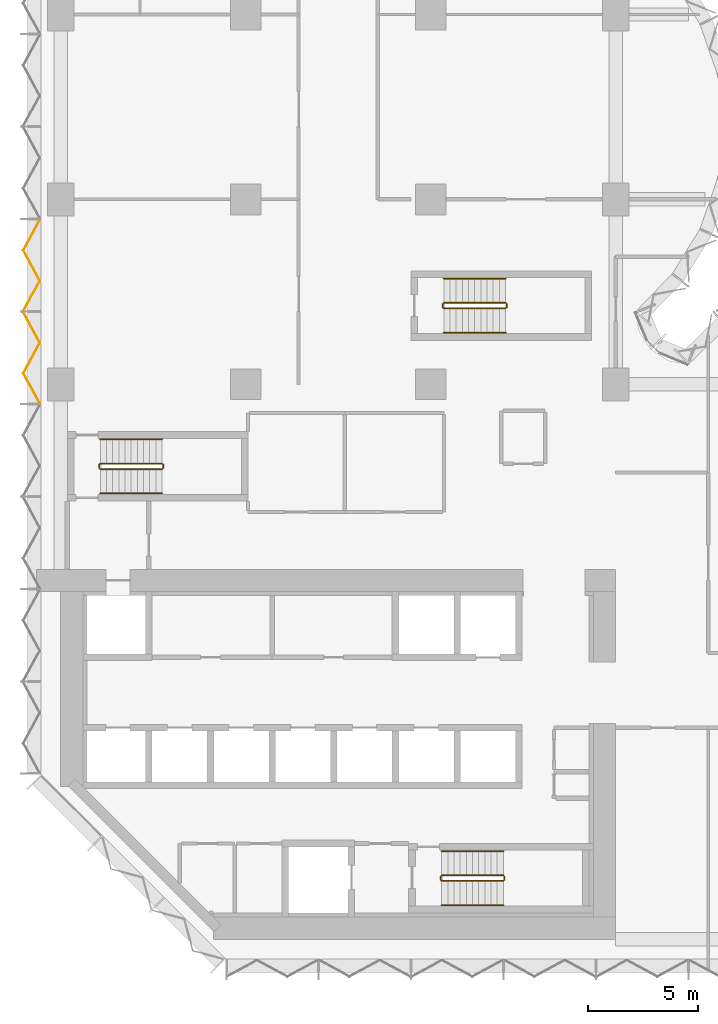
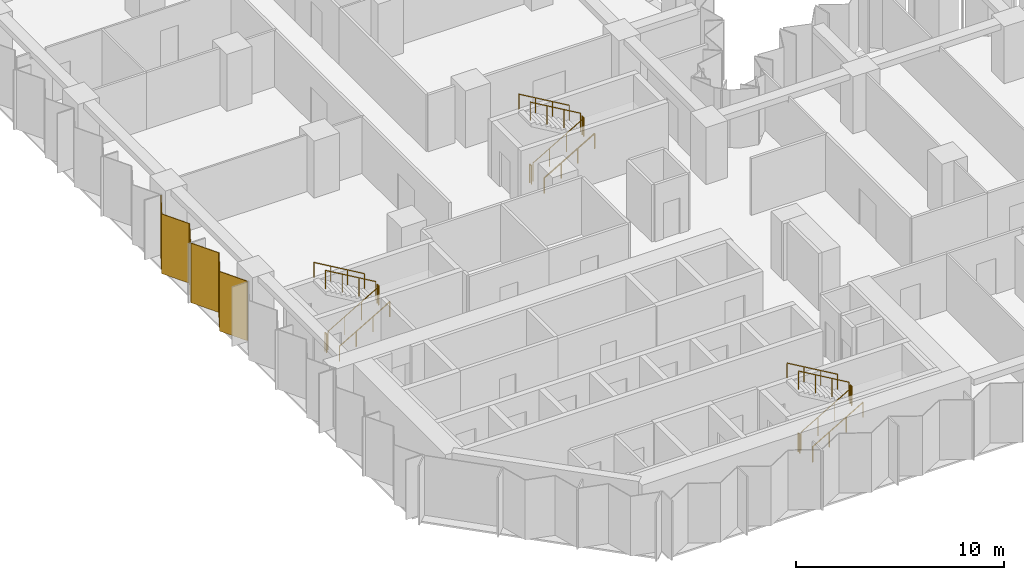
# One storey, part 13 of 15: 18 railings, 2 coverings, 1 element without a shape of its own.
"""IFC4 building model written with IfcOpenShell, lengths in metres."""

from ifc_helpers import new_model, si_unit, direction, frame, origin, origin_2d, place, context, subcontext, project, spatial, polyline, circle, outline, extrude, material, layer, layer_set, type_object, element, aggregate, save


model = new_model("IFC4")

# Units and contexts
model_context = context("Model", 3, precision=1e-05, world=origin(), true_north=direction((0.0, 1.0)))
body_context = subcontext(model_context, "Body", "Model", "MODEL_VIEW")
ifc_project = project(units=[si_unit("LENGTHUNIT", "METRE"), si_unit("AREAUNIT", "SQUARE_METRE"), si_unit("VOLUMEUNIT", "CUBIC_METRE"), si_unit("PLANEANGLEUNIT", "RADIAN"), si_unit("MASSUNIT", "GRAM", prefix="KILO")], contexts=[model_context])

# Site, building, storey
site_placement = place(None, origin())
site = spatial("IfcSite", under=ifc_project, at=site_placement, CompositionType="ELEMENT")
building_placement = place(site_placement, origin())
building = spatial("IfcBuilding", under=site, at=building_placement, Name="Brevane Broadcast Tower", CompositionType="ELEMENT")
storey_placement = place(building_placement, frame((0.0, 0.0, 65.300048828125)))
storey = spatial("IfcBuildingStorey", under=building, at=storey_placement, Name="L14", CompositionType="ELEMENT", Elevation=65.300048828125)

# Railings
ifc_material_1 = material(Name="Steel S355", Category="steel")
railing_type_1 = type_object("IfcRailingType", Name="Exit stair guard", PredefinedType="GUARDRAIL", material=ifc_material_1)
railing_1_placement = place(storey_placement, frame((1.800048828125, 21.35009765625, 0.16357421875)))
element("IfcRailing", 1, at=railing_1_placement, inside=storey, type_object=railing_type_1, Name="L14 ST-1 stair guard 1", PredefinedType="GUARDRAIL", context=body_context, shape_type="SweptSolid", body=[
    extrude(circle(Radius=0.02392578125, at=origin_2d()), frame((0.0, 0.0, 1.076171875), z_axis=(0.863360870873, 0.0, 0.504586966384), x_axis=(0.0, 1.0, 0.0)), (0.0, 0.0, 1.0), 3.2431640625),
    extrude(circle(Radius=0.02099609375, at=origin_2d()), origin(), (0.0, 0.0, 1.0), 1.052001953125),
    extrude(circle(Radius=0.02099609375, at=origin_2d()), frame((0.933349609375, 0.0, 0.54541015625)), (0.0, 0.0, 1.0), 1.052001953125),
    extrude(circle(Radius=0.02099609375, at=origin_2d()), frame((1.86669921875, 0.0, 1.091064453125)), (0.0, 0.0, 1.0), 1.052001953125),
    extrude(circle(Radius=0.02099609375, at=origin_2d()), frame((2.800048828125, 0.0, 1.636474609375)), (0.0, 0.0, 1.0), 1.052001953125),
])
railing_2_placement = place(storey_placement, frame((4.64990234375, 21.39990234375, 1.800048828125)))
element("IfcRailing", 2, at=railing_2_placement, inside=storey, type_object=railing_type_1, Name="L14 ST-1 stair guard 2", PredefinedType="GUARDRAIL", context=body_context, shape_type="SweptSolid", body=[
    extrude(circle(Radius=0.02392578125, at=origin_2d()), frame((0.0, 0.0, 1.076171875), z_axis=(0.0, 1.0, 0.0), x_axis=(-1.0, 0.0, 0.0)), (0.0, 0.0, 1.0), 0.150146484375),
    extrude(circle(Radius=0.02099609375, at=origin_2d()), origin(), (0.0, 0.0, 1.0), 1.052001953125),
    extrude(circle(Radius=0.02099609375, at=origin_2d()), frame((0.0, 0.150146484375, 0.0)), (0.0, 0.0, 1.0), 1.052001953125),
])
railing_3_placement = place(storey_placement, frame((4.60009765625, 21.60009765625, 1.963623046875)))
element("IfcRailing", 3, at=railing_3_placement, inside=storey, type_object=railing_type_1, Name="L14 ST-1 stair guard 3", PredefinedType="GUARDRAIL", context=body_context, shape_type="SweptSolid", body=[
    extrude(circle(Radius=0.02392578125, at=origin_2d()), frame((0.0, 0.0, 1.076171875), z_axis=(-0.863393664356, 0.0, 0.504530851732), x_axis=(0.0, -1.0, 0.0)), (0.0, 0.0, 1.0), 3.2431640625),
    extrude(circle(Radius=0.02099609375, at=origin_2d()), origin(), (0.0, 0.0, 1.0), 1.052001953125),
    extrude(circle(Radius=0.02099609375, at=origin_2d()), frame((-0.933349609375, 0.0, 0.54541015625)), (0.0, 0.0, 1.0), 1.052001953125),
    extrude(circle(Radius=0.02099609375, at=origin_2d()), frame((-1.86669921875, 0.0, 1.0908203125)), (0.0, 0.0, 1.0), 1.052001953125),
    extrude(circle(Radius=0.02099609375, at=origin_2d()), frame((-2.800048828125, 0.0, 1.63623046875)), (0.0, 0.0, 1.0), 1.052001953125),
])
railing_4_placement = place(storey_placement, frame((1.75, 21.39990234375, 0.0)))
element("IfcRailing", 4, at=railing_4_placement, inside=storey, type_object=railing_type_1, Name="L14 ST-1 stair guard 4", PredefinedType="GUARDRAIL", context=body_context, shape_type="SweptSolid", body=[
    extrude(circle(Radius=0.02392578125, at=origin_2d()), frame((0.0, 0.0, 1.076171875), z_axis=(0.0, 1.0, 0.0), x_axis=(-1.0, 0.0, 0.0)), (0.0, 0.0, 1.0), 0.150146484375),
    extrude(circle(Radius=0.02099609375, at=origin_2d()), origin(), (0.0, 0.0, 1.0), 1.052001953125),
    extrude(circle(Radius=0.02099609375, at=origin_2d()), frame((0.0, 0.150146484375, 0.0)), (0.0, 0.0, 1.0), 1.052001953125),
])
railing_5_placement = place(storey_placement, frame((17.300048828125, 2.64990234375, 0.16357421875)))
element("IfcRailing", 5, at=railing_5_placement, inside=storey, type_object=railing_type_1, Name="L14 ST-2 stair guard 1", PredefinedType="GUARDRAIL", context=body_context, shape_type="SweptSolid", body=[
    extrude(circle(Radius=0.02392578125, at=origin_2d()), frame((0.0, 0.0, 1.076171875), z_axis=(0.863360870873, 0.0, 0.504586966384), x_axis=(0.0, 1.0, 0.0)), (0.0, 0.0, 1.0), 3.2431640625),
    extrude(circle(Radius=0.02099609375, at=origin_2d()), origin(), (0.0, 0.0, 1.0), 1.052001953125),
    extrude(circle(Radius=0.02099609375, at=origin_2d()), frame((0.933349609375, 0.0, 0.54541015625)), (0.0, 0.0, 1.0), 1.052001953125),
    extrude(circle(Radius=0.02099609375, at=origin_2d()), frame((1.86669921875, 0.0, 1.091064453125)), (0.0, 0.0, 1.0), 1.052001953125),
    extrude(circle(Radius=0.02099609375, at=origin_2d()), frame((2.800048828125, 0.0, 1.636474609375)), (0.0, 0.0, 1.0), 1.052001953125),
])
railing_6_placement = place(storey_placement, frame((20.14990234375, 2.699951171875, 1.800048828125)))
element("IfcRailing", 6, at=railing_6_placement, inside=storey, type_object=railing_type_1, Name="L14 ST-2 stair guard 2", PredefinedType="GUARDRAIL", context=body_context, shape_type="SweptSolid", body=[
    extrude(circle(Radius=0.02392578125, at=origin_2d()), frame((0.0, 0.0, 1.076171875), z_axis=(0.0, 1.0, 0.0), x_axis=(-1.0, 0.0, 0.0)), (0.0, 0.0, 1.0), 0.150146484375),
    extrude(circle(Radius=0.02099609375, at=origin_2d()), origin(), (0.0, 0.0, 1.0), 1.052001953125),
    extrude(circle(Radius=0.02099609375, at=origin_2d()), frame((0.0, 0.150146484375, 0.0)), (0.0, 0.0, 1.0), 1.052001953125),
])
railing_7_placement = place(storey_placement, frame((20.10009765625, 2.89990234375, 1.963623046875)))
element("IfcRailing", 7, at=railing_7_placement, inside=storey, type_object=railing_type_1, Name="L14 ST-2 stair guard 3", PredefinedType="GUARDRAIL", context=body_context, shape_type="SweptSolid", body=[
    extrude(circle(Radius=0.02392578125, at=origin_2d()), frame((0.0, 0.0, 1.076171875), z_axis=(-0.863393664356, 0.0, 0.504530851732), x_axis=(0.0, -1.0, 0.0)), (0.0, 0.0, 1.0), 3.2431640625),
    extrude(circle(Radius=0.02099609375, at=origin_2d()), origin(), (0.0, 0.0, 1.0), 1.052001953125),
    extrude(circle(Radius=0.02099609375, at=origin_2d()), frame((-0.933349609375, 0.0, 0.54541015625)), (0.0, 0.0, 1.0), 1.052001953125),
    extrude(circle(Radius=0.02099609375, at=origin_2d()), frame((-1.86669921875, 0.0, 1.0908203125)), (0.0, 0.0, 1.0), 1.052001953125),
    extrude(circle(Radius=0.02099609375, at=origin_2d()), frame((-2.800048828125, 0.0, 1.63623046875)), (0.0, 0.0, 1.0), 1.052001953125),
])
railing_8_placement = place(storey_placement, frame((17.25, 2.699951171875, 0.0)))
element("IfcRailing", 8, at=railing_8_placement, inside=storey, type_object=railing_type_1, Name="L14 ST-2 stair guard 4", PredefinedType="GUARDRAIL", context=body_context, shape_type="SweptSolid", body=[
    extrude(circle(Radius=0.02392578125, at=origin_2d()), frame((0.0, 0.0, 1.076171875), z_axis=(0.0, 1.0, 0.0), x_axis=(-1.0, 0.0, 0.0)), (0.0, 0.0, 1.0), 0.150146484375),
    extrude(circle(Radius=0.02099609375, at=origin_2d()), origin(), (0.0, 0.0, 1.0), 1.052001953125),
    extrude(circle(Radius=0.02099609375, at=origin_2d()), frame((0.0, 0.150146484375, 0.0)), (0.0, 0.0, 1.0), 1.052001953125),
])
railing_9_placement = place(storey_placement, frame((17.39990234375, 28.64990234375, 0.16357421875)))
element("IfcRailing", 9, at=railing_9_placement, inside=storey, type_object=railing_type_1, Name="L14 ST-3 stair guard 1", PredefinedType="GUARDRAIL", context=body_context, shape_type="SweptSolid", body=[
    extrude(circle(Radius=0.02392578125, at=origin_2d()), frame((0.0, 0.0, 1.076171875), z_axis=(0.863360870873, 0.0, 0.504586966384), x_axis=(0.0, 1.0, 0.0)), (0.0, 0.0, 1.0), 3.2431640625),
    extrude(circle(Radius=0.02099609375, at=origin_2d()), origin(), (0.0, 0.0, 1.0), 1.052001953125),
    extrude(circle(Radius=0.02099609375, at=origin_2d()), frame((0.933349609375, 0.0, 0.54541015625)), (0.0, 0.0, 1.0), 1.052001953125),
    extrude(circle(Radius=0.02099609375, at=origin_2d()), frame((1.86669921875, 0.0, 1.091064453125)), (0.0, 0.0, 1.0), 1.052001953125),
    extrude(circle(Radius=0.02099609375, at=origin_2d()), frame((2.800048828125, 0.0, 1.636474609375)), (0.0, 0.0, 1.0), 1.052001953125),
])
railing_10_placement = place(storey_placement, frame((20.25, 28.699951171875, 1.800048828125)))
element("IfcRailing", 10, at=railing_10_placement, inside=storey, type_object=railing_type_1, Name="L14 ST-3 stair guard 2", PredefinedType="GUARDRAIL", context=body_context, shape_type="SweptSolid", body=[
    extrude(circle(Radius=0.02392578125, at=origin_2d()), frame((0.0, 0.0, 1.076171875), z_axis=(0.0, 1.0, 0.0), x_axis=(-1.0, 0.0, 0.0)), (0.0, 0.0, 1.0), 0.150146484375),
    extrude(circle(Radius=0.02099609375, at=origin_2d()), origin(), (0.0, 0.0, 1.0), 1.052001953125),
    extrude(circle(Radius=0.02099609375, at=origin_2d()), frame((0.0, 0.150146484375, 0.0)), (0.0, 0.0, 1.0), 1.052001953125),
])
railing_11_placement = place(storey_placement, frame((20.199951171875, 28.89990234375, 1.963623046875)))
element("IfcRailing", 11, at=railing_11_placement, inside=storey, type_object=railing_type_1, Name="L14 ST-3 stair guard 3", PredefinedType="GUARDRAIL", context=body_context, shape_type="SweptSolid", body=[
    extrude(circle(Radius=0.02392578125, at=origin_2d()), frame((0.0, 0.0, 1.076171875), z_axis=(-0.863393664356, 0.0, 0.504530851732), x_axis=(0.0, -1.0, 0.0)), (0.0, 0.0, 1.0), 3.2431640625),
    extrude(circle(Radius=0.02099609375, at=origin_2d()), origin(), (0.0, 0.0, 1.0), 1.052001953125),
    extrude(circle(Radius=0.02099609375, at=origin_2d()), frame((-0.933349609375, 0.0, 0.54541015625)), (0.0, 0.0, 1.0), 1.052001953125),
    extrude(circle(Radius=0.02099609375, at=origin_2d()), frame((-1.86669921875, 0.0, 1.0908203125)), (0.0, 0.0, 1.0), 1.052001953125),
    extrude(circle(Radius=0.02099609375, at=origin_2d()), frame((-2.800048828125, 0.0, 1.63623046875)), (0.0, 0.0, 1.0), 1.052001953125),
])
railing_12_placement = place(storey_placement, frame((17.35009765625, 28.699951171875, 0.0)))
element("IfcRailing", 12, at=railing_12_placement, inside=storey, type_object=railing_type_1, Name="L14 ST-3 stair guard 4", PredefinedType="GUARDRAIL", context=body_context, shape_type="SweptSolid", body=[
    extrude(circle(Radius=0.02392578125, at=origin_2d()), frame((0.0, 0.0, 1.076171875), z_axis=(0.0, 1.0, 0.0), x_axis=(-1.0, 0.0, 0.0)), (0.0, 0.0, 1.0), 0.150146484375),
    extrude(circle(Radius=0.02099609375, at=origin_2d()), origin(), (0.0, 0.0, 1.0), 1.052001953125),
    extrude(circle(Radius=0.02099609375, at=origin_2d()), frame((0.0, 0.150146484375, 0.0)), (0.0, 0.0, 1.0), 1.052001953125),
])
railing_type_2 = type_object("IfcRailingType", Name="Exit stair handrail", PredefinedType="HANDRAIL", material=ifc_material_1)
railing_13_placement = place(storey_placement, frame((1.800048828125, 20.25, 0.16357421875)))
element("IfcRailing", 13, at=railing_13_placement, inside=storey, type_object=railing_type_2, Name="L14 ST-1 stair handrail 1", PredefinedType="HANDRAIL", context=body_context, shape_type="SweptSolid", body=[
    extrude(circle(Radius=0.02392578125, at=origin_2d()), frame((0.0, 0.0, 0.8759765625), z_axis=(0.863360870873, 0.0, 0.504586966384), x_axis=(0.0, 1.0, 0.0)), (0.0, 0.0, 1.0), 3.2431640625),
    extrude(circle(Radius=0.02099609375, at=origin_2d()), origin(), (0.0, 0.0, 1.0), 0.851806640625),
    extrude(circle(Radius=0.02099609375, at=origin_2d()), frame((0.933349609375, 0.0, 0.54541015625)), (0.0, 0.0, 1.0), 0.851806640625),
    extrude(circle(Radius=0.02099609375, at=origin_2d()), frame((1.86669921875, 0.0, 1.091064453125)), (0.0, 0.0, 1.0), 0.851806640625),
    extrude(circle(Radius=0.02099609375, at=origin_2d()), frame((2.800048828125, 0.0, 1.636474609375)), (0.0, 0.0, 1.0), 0.851806640625),
])
railing_14_placement = place(storey_placement, frame((4.60009765625, 22.699951171875, 1.963623046875)))
element("IfcRailing", 14, at=railing_14_placement, inside=storey, type_object=railing_type_2, Name="L14 ST-1 stair handrail 2", PredefinedType="HANDRAIL", context=body_context, shape_type="SweptSolid", body=[
    extrude(circle(Radius=0.02392578125, at=origin_2d()), frame((0.0, 0.0, 0.8759765625), z_axis=(-0.863393664356, 0.0, 0.504530851732), x_axis=(0.0, -1.0, 0.0)), (0.0, 0.0, 1.0), 3.2431640625),
    extrude(circle(Radius=0.02099609375, at=origin_2d()), origin(), (0.0, 0.0, 1.0), 0.851806640625),
    extrude(circle(Radius=0.02099609375, at=origin_2d()), frame((-0.933349609375, 0.0, 0.54541015625)), (0.0, 0.0, 1.0), 0.851806640625),
    extrude(circle(Radius=0.02099609375, at=origin_2d()), frame((-1.86669921875, 0.0, 1.0908203125)), (0.0, 0.0, 1.0), 0.851806640625),
    extrude(circle(Radius=0.02099609375, at=origin_2d()), frame((-2.800048828125, 0.0, 1.63623046875)), (0.0, 0.0, 1.0), 0.851806640625),
])
railing_15_placement = place(storey_placement, frame((17.300048828125, 1.550048828125, 0.16357421875)))
element("IfcRailing", 15, at=railing_15_placement, inside=storey, type_object=railing_type_2, Name="L14 ST-2 stair handrail 1", PredefinedType="HANDRAIL", context=body_context, shape_type="SweptSolid", body=[
    extrude(circle(Radius=0.02392578125, at=origin_2d()), frame((0.0, 0.0, 0.8759765625), z_axis=(0.863360870873, 0.0, 0.504586966384), x_axis=(0.0, 1.0, 0.0)), (0.0, 0.0, 1.0), 3.2431640625),
    extrude(circle(Radius=0.02099609375, at=origin_2d()), origin(), (0.0, 0.0, 1.0), 0.851806640625),
    extrude(circle(Radius=0.02099609375, at=origin_2d()), frame((0.933349609375, 0.0, 0.54541015625)), (0.0, 0.0, 1.0), 0.851806640625),
    extrude(circle(Radius=0.02099609375, at=origin_2d()), frame((1.86669921875, 0.0, 1.091064453125)), (0.0, 0.0, 1.0), 0.851806640625),
    extrude(circle(Radius=0.02099609375, at=origin_2d()), frame((2.800048828125, 0.0, 1.636474609375)), (0.0, 0.0, 1.0), 0.851806640625),
])
railing_16_placement = place(storey_placement, frame((20.10009765625, 4.0, 1.963623046875)))
element("IfcRailing", 16, at=railing_16_placement, inside=storey, type_object=railing_type_2, Name="L14 ST-2 stair handrail 2", PredefinedType="HANDRAIL", context=body_context, shape_type="SweptSolid", body=[
    extrude(circle(Radius=0.02392578125, at=origin_2d()), frame((0.0, 0.0, 0.8759765625), z_axis=(-0.863393664356, 0.0, 0.504530851732), x_axis=(0.0, -1.0, 0.0)), (0.0, 0.0, 1.0), 3.2431640625),
    extrude(circle(Radius=0.02099609375, at=origin_2d()), origin(), (0.0, 0.0, 1.0), 0.851806640625),
    extrude(circle(Radius=0.02099609375, at=origin_2d()), frame((-0.933349609375, 0.0, 0.54541015625)), (0.0, 0.0, 1.0), 0.851806640625),
    extrude(circle(Radius=0.02099609375, at=origin_2d()), frame((-1.86669921875, 0.0, 1.0908203125)), (0.0, 0.0, 1.0), 0.851806640625),
    extrude(circle(Radius=0.02099609375, at=origin_2d()), frame((-2.800048828125, 0.0, 1.63623046875)), (0.0, 0.0, 1.0), 0.851806640625),
])
railing_17_placement = place(storey_placement, frame((17.39990234375, 27.550048828125, 0.16357421875)))
element("IfcRailing", 17, at=railing_17_placement, inside=storey, type_object=railing_type_2, Name="L14 ST-3 stair handrail 1", PredefinedType="HANDRAIL", context=body_context, shape_type="SweptSolid", body=[
    extrude(circle(Radius=0.02392578125, at=origin_2d()), frame((0.0, 0.0, 0.8759765625), z_axis=(0.863360870873, 0.0, 0.504586966384), x_axis=(0.0, 1.0, 0.0)), (0.0, 0.0, 1.0), 3.2431640625),
    extrude(circle(Radius=0.02099609375, at=origin_2d()), origin(), (0.0, 0.0, 1.0), 0.851806640625),
    extrude(circle(Radius=0.02099609375, at=origin_2d()), frame((0.933349609375, 0.0, 0.54541015625)), (0.0, 0.0, 1.0), 0.851806640625),
    extrude(circle(Radius=0.02099609375, at=origin_2d()), frame((1.86669921875, 0.0, 1.091064453125)), (0.0, 0.0, 1.0), 0.851806640625),
    extrude(circle(Radius=0.02099609375, at=origin_2d()), frame((2.800048828125, 0.0, 1.636474609375)), (0.0, 0.0, 1.0), 0.851806640625),
])
railing_18_placement = place(storey_placement, frame((20.199951171875, 30.0, 1.963623046875)))
element("IfcRailing", 18, at=railing_18_placement, inside=storey, type_object=railing_type_2, Name="L14 ST-3 stair handrail 2", PredefinedType="HANDRAIL", context=body_context, shape_type="SweptSolid", body=[
    extrude(circle(Radius=0.02392578125, at=origin_2d()), frame((0.0, 0.0, 0.8759765625), z_axis=(-0.863393664356, 0.0, 0.504530851732), x_axis=(0.0, -1.0, 0.0)), (0.0, 0.0, 1.0), 3.2431640625),
    extrude(circle(Radius=0.02099609375, at=origin_2d()), origin(), (0.0, 0.0, 1.0), 0.851806640625),
    extrude(circle(Radius=0.02099609375, at=origin_2d()), frame((-0.933349609375, 0.0, 0.54541015625)), (0.0, 0.0, 1.0), 0.851806640625),
    extrude(circle(Radius=0.02099609375, at=origin_2d()), frame((-1.86669921875, 0.0, 1.0908203125)), (0.0, 0.0, 1.0), 0.851806640625),
    extrude(circle(Radius=0.02099609375, at=origin_2d()), frame((-2.800048828125, 0.0, 1.63623046875)), (0.0, 0.0, 1.0), 0.851806640625),
])

# Curtain wall, coverings
ifc_material_2 = material(Name="Aluminium 6063-T6 bronze anodised", Category="aluminium")
curtain_wall_type = type_object("IfcCurtainWallType", Name="CW-1 curtain wall", PredefinedType="NOTDEFINED", material=ifc_material_2)
curtain_wall_placement = place(storey_placement, origin())
curtain_wall = element("IfcCurtainWall", 19, at=curtain_wall_placement, inside=storey, type_object=curtain_wall_type, Name="CW-1 typical tilted unit L14 west face", PredefinedType="NOTDEFINED")
ifc_material_3 = material(Name="Back-painted bronze glass shadow-box", Category="glass")
ifc_layer = layer(ifc_material_3, 0.0400390625)
ifc_layer_set = layer_set([ifc_layer], Name="Shadow-box panel 40")
covering_type = type_object("IfcCoveringType", Name="Shadow-box panel 40", PredefinedType="CLADDING", material=ifc_layer_set)
covering_1_placement = place(storey_placement, frame((0.0, 0.0, -0.150146484375)))
covering_1 = element("IfcCovering", 20, at=covering_1_placement, type_object=covering_type, Name="Shadow-box panel", PredefinedType="CLADDING", context=body_context, shape_type="SweptSolid", body=[
    extrude(outline(polyline([(-0.92724609375, 32.6650390625), (-0.97265625, 32.6650390625), (-1.717041015625, 31.288330078125), (-0.97265625, 29.91162109375), (-1.717041015625, 28.534912109375), (-1.671630859375, 28.534912109375), (-0.92724609375, 29.91162109375), (-1.671630859375, 31.288330078125), (-0.92724609375, 32.6650390625)])), origin(), (0.0, 0.0, 1.0), 3.5),
])
covering_2_placement = place(storey_placement, frame((0.0, 0.0, -0.150146484375)))
covering_2 = element("IfcCovering", 21, at=covering_2_placement, type_object=covering_type, Name="Shadow-box panel", PredefinedType="CLADDING", context=body_context, shape_type="SweptSolid", body=[
    extrude(outline(polyline([(-1.671630859375, 28.465087890625), (-1.717041015625, 28.465087890625), (-0.97265625, 27.08837890625), (-1.717041015625, 25.711669921875), (-0.97265625, 24.3349609375), (-0.92724609375, 24.3349609375), (-1.671630859375, 25.711669921875), (-0.92724609375, 27.08837890625), (-1.671630859375, 28.465087890625)])), origin(), (0.0, 0.0, 1.0), 3.5),
])
aggregate(curtain_wall, [covering_1, covering_2])

save(model, "model.ifc")
